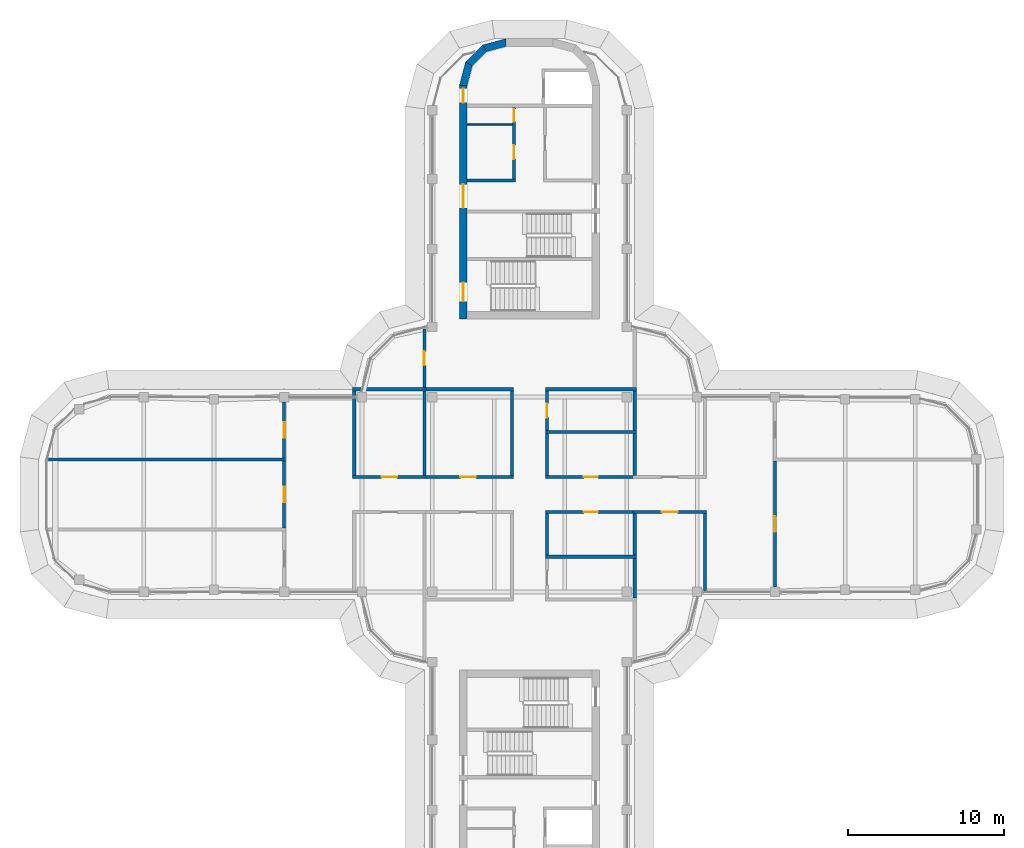
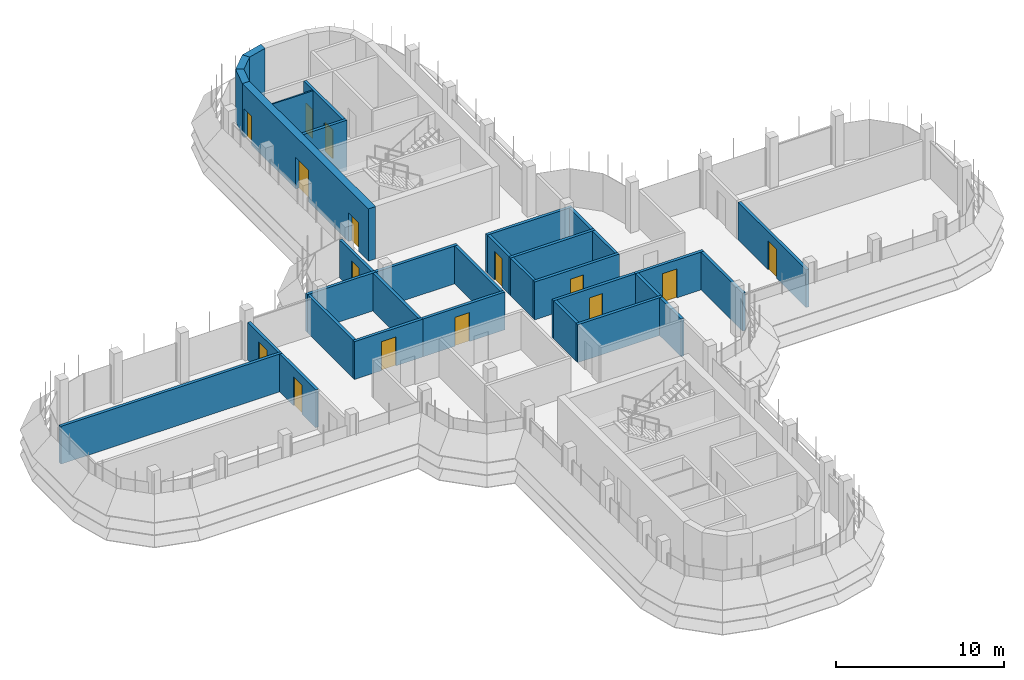
# One storey, part 14 of 19: 33 walls, 15 doors, 15 openings.
"""IFC4 building model written with IfcOpenShell, lengths in metres."""

import ifcopenshell
import ifcopenshell.guid

model = None  # the IFC model being written
_history = None  # IfcOwnerHistory: only IFC2X3 demands one
_inside = {}  # id of a spatial element -> (the spatial element, [elements in it])
_under = {}  # id of a project, library or spatial element -> (it, [spatial elements below it])
_declared = {}  # id of a project -> (the project, [libraries it declares])
_typed = {}  # id of a type object -> (the type object, [elements of that type])
_made_of = {}  # id of a material, layer set ... -> (it, [elements and type objects made of it])


def new_model(schema):
    """Start an empty IFC model of exactly this schema.

    Asked for "IFC4X3", IfcOpenShell would pick the latest addendum, in which some entities
    have other attributes; the version numbers below select the first issue.
    IFC2X3 requires an IfcOwnerHistory on every rooted entity: one is made here for all.
    """
    global model, _history
    if schema == "IFC4X3":
        model = ifcopenshell.file(schema_version=(4, 3, 0, 0))
    else:
        model = ifcopenshell.file(schema=schema)
    _inside.clear()
    _under.clear()
    _declared.clear()
    _typed.clear()
    _made_of.clear()
    _history = None
    if model.schema == "IFC2X3":
        org = make("IfcOrganization", Name="unknown")
        user = make(
            "IfcPersonAndOrganization",
            ThePerson=make("IfcPerson", FamilyName="unknown"),
            TheOrganization=org,
        )
        app = make(
            "IfcApplication",
            ApplicationDeveloper=org,
            Version="unknown",
            ApplicationFullName="unknown",
            ApplicationIdentifier="unknown",
        )
        _history = make(
            "IfcOwnerHistory",
            OwningUser=user,
            OwningApplication=app,
            ChangeAction="ADDED",
            CreationDate=0,
        )
    return model


def make(cls, **values):
    """One entity of the class cls with the attributes given. An attribute that is None is left unset."""
    return model.create_entity(
        cls, **{name: value for name, value in values.items() if value is not None}
    )


def rooted(cls, **values):
    """An entity with a GlobalId (a new one), such as an element, a storey or a relation."""
    return make(cls, GlobalId=ifcopenshell.guid.new(), OwnerHistory=_history, **values)


def si_unit(unit_type, name, prefix=None):
    """IfcSIUnit, for example si_unit("LENGTHUNIT", "METRE", prefix="MILLI")."""
    return make("IfcSIUnit", UnitType=unit_type, Prefix=prefix, Name=name)


def assignment(units):
    """IfcUnitAssignment: the units of a project."""
    return None if units is None else make("IfcUnitAssignment", Units=units)


def point(xyz):
    """IfcCartesianPoint."""
    return None if xyz is None else make("IfcCartesianPoint", Coordinates=xyz)


def direction(xyz):
    """IfcDirection."""
    return None if xyz is None else make("IfcDirection", DirectionRatios=xyz)


def frame(location, z_axis=None, x_axis=None):
    """IfcAxis2Placement3D, a coordinate frame: its origin and axes. An axis left out is left unset."""
    return make(
        "IfcAxis2Placement3D",
        Location=point(location),
        Axis=direction(z_axis),
        RefDirection=direction(x_axis),
    )


def frame_2d(location, x_axis=None):
    """IfcAxis2Placement2D, a coordinate frame in the plane: its origin and x axis."""
    return make(
        "IfcAxis2Placement2D", Location=point(location), RefDirection=direction(x_axis)
    )


def origin():
    """The frame at (0, 0, 0) with its axes left unset."""
    return frame((0.0, 0.0, 0.0))


def place(relative_to, where):
    """IfcLocalPlacement: puts the frame where relative to a parent placement (None: the world)."""
    return make(
        "IfcLocalPlacement", PlacementRelTo=relative_to, RelativePlacement=where
    )


def context(
    kind, dimensions, precision=None, world=None, true_north=None, identifier=None
):
    """IfcGeometricRepresentationContext, for example the 3D "Model" context."""
    return make(
        "IfcGeometricRepresentationContext",
        ContextIdentifier=identifier,
        ContextType=kind,
        CoordinateSpaceDimension=dimensions,
        Precision=precision,
        WorldCoordinateSystem=world,
        TrueNorth=true_north,
    )


def subcontext(parent, identifier, kind, view, scale=None):
    """IfcGeometricRepresentationSubContext, for example "Body" below "Model"."""
    return make(
        "IfcGeometricRepresentationSubContext",
        ContextIdentifier=identifier,
        ContextType=kind,
        ParentContext=parent,
        TargetScale=scale,
        TargetView=view,
    )


def project(units=None, contexts=None):
    """IfcProject with its units and contexts."""
    return rooted(
        "IfcProject",
        Name="project",
        RepresentationContexts=contexts,
        UnitsInContext=assignment(units),
    )


def spatial(cls, under=None, at=None, **own):
    """A site, building, storey or space (cls), placed at a placement, below another one or the project."""
    s = rooted(cls, ObjectPlacement=at, **own)
    if under is not None:
        _under.setdefault(under.id(), (under, []))[1].append(s)
    return s


def polyline(points):
    """IfcPolyline through the points."""
    return make("IfcPolyline", Points=[point(p) for p in points])


def profile(cls, at=None, kind="AREA", **sizes):
    """A parametric profile (cls). Its sizes go by their IFC names, for example OverallWidth=200.0."""
    return make(cls, ProfileType=kind, Position=at, **sizes)


def rectangle(**sizes):
    """IfcRectangleProfileDef."""
    return profile("IfcRectangleProfileDef", **sizes)


def outline(outer, holes=None, kind="AREA"):
    """IfcArbitraryClosedProfileDef: a profile drawn as a closed curve; with holes, ...WithVoids."""
    if holes is None:
        return make("IfcArbitraryClosedProfileDef", ProfileType=kind, OuterCurve=outer)
    return make(
        "IfcArbitraryProfileDefWithVoids",
        ProfileType=kind,
        OuterCurve=outer,
        InnerCurves=holes,
    )


def extrude(swept, where, along, depth):
    """IfcExtrudedAreaSolid: the profile swept, set in the frame where, extruded along a direction by depth."""
    return make(
        "IfcExtrudedAreaSolid",
        SweptArea=swept,
        Position=where,
        ExtrudedDirection=direction(along),
        Depth=depth,
    )


def shape(context_of_items, identifier, shape_type, items):
    """IfcShapeRepresentation: the items that make up one representation, for example the "Body"."""
    return make(
        "IfcShapeRepresentation",
        ContextOfItems=context_of_items,
        RepresentationIdentifier=identifier,
        RepresentationType=shape_type,
        Items=items,
    )


def material(Name=None, Category=None):
    """IfcMaterial."""
    return make("IfcMaterial", Name=Name, Category=Category)


def layer(
    of_material, thickness, ventilated=None, Name=None, Category=None, Priority=None
):
    """IfcMaterialLayer: one layer of a wall or slab, of a material (None: an air gap)."""
    return make(
        "IfcMaterialLayer",
        Material=of_material,
        LayerThickness=thickness,
        IsVentilated=ventilated,
        Name=Name,
        Category=Category,
        Priority=Priority,
    )


def layer_set(layers, Name=None):
    """IfcMaterialLayerSet."""
    return make("IfcMaterialLayerSet", MaterialLayers=layers, LayerSetName=Name)


def made_of(thing, what):
    """Note that an element or type object is made of a material, layer set ...; save() writes the relation."""
    if what is not None:
        _made_of.setdefault(what.id(), (what, []))[1].append(thing)
    return thing


def type_object(cls, material=None, **own):
    """A type object (cls), such as IfcWallType, which elements share."""
    return made_of(rooted(cls, **own), material)


def element(
    cls,
    number,
    at=None,
    inside=None,
    cuts=None,
    type_object=None,
    material=None,
    context=None,
    identifier="Body",
    shape_type=None,
    held_by="IfcProductDefinitionShape",
    body=None,
    shapes=None,
    **own,
):
    """One element of the class cls, such as IfcWall. Its Tag is "e" and its number.

    at: its placement. inside: the storey or other place that contains it. cuts: it is an
    opening in that element (IfcRelVoidsElement). A single representation is given by context,
    identifier, shape_type and body (its items); several are given by shapes. held_by: the class
    of the entity that holds the representations. save() writes the other relations.
    """
    e = rooted(cls, Tag="e%d" % number, ObjectPlacement=at, **own)
    if body is not None:
        shapes = [shape(context, identifier, shape_type, body)]
    if shapes is not None:
        e.Representation = make(held_by, Representations=shapes)
    if inside is not None:
        _inside.setdefault(inside.id(), (inside, []))[1].append(e)
    if cuts is not None:
        rooted(
            "IfcRelVoidsElement", RelatingBuildingElement=cuts, RelatedOpeningElement=e
        )
    if type_object is not None:
        _typed.setdefault(type_object.id(), (type_object, []))[1].append(e)
    return made_of(e, material)


def fill(opening, filler):
    """IfcRelFillsElement: the door or window that sits in an opening."""
    return rooted(
        "IfcRelFillsElement",
        RelatingOpeningElement=opening,
        RelatedBuildingElement=filler,
    )


def aggregate(whole, parts):
    """IfcRelAggregates: a whole, such as a stair, and the parts it consists of."""
    return rooted("IfcRelAggregates", RelatingObject=whole, RelatedObjects=parts)


def save(model, path):
    """Write the relations noted so far, then the file.

    IfcRelAggregates (storeys below a building ...), IfcRelContainedInSpatialStructure (elements
    in a storey), IfcRelDefinesByType, IfcRelAssociatesMaterial and IfcRelDeclares: one each for
    every whole, place, type object, material and project.
    """
    for whole, parts in _under.values():
        aggregate(whole, parts)
    for where, things in _inside.values():
        rooted(
            "IfcRelContainedInSpatialStructure",
            RelatedElements=things,
            RelatingStructure=where,
        )
    for kind, things in _typed.values():
        rooted("IfcRelDefinesByType", RelatedObjects=things, RelatingType=kind)
    for what, things in _made_of.values():
        rooted("IfcRelAssociatesMaterial", RelatedObjects=things, RelatingMaterial=what)
    for by, libraries in _declared.values():
        rooted("IfcRelDeclares", RelatingContext=by, RelatedDefinitions=libraries)
    model.write(path)


model = new_model("IFC4")

# Units and contexts
model_context = context("Model", 3, precision=1e-05, world=origin(), true_north=direction((0.0, 1.0)))
body_context = subcontext(model_context, "Body", "Model", "MODEL_VIEW")
ifc_project = project(units=[si_unit("LENGTHUNIT", "METRE"), si_unit("AREAUNIT", "SQUARE_METRE"), si_unit("VOLUMEUNIT", "CUBIC_METRE"), si_unit("PLANEANGLEUNIT", "RADIAN"), si_unit("MASSUNIT", "GRAM", prefix="KILO")], contexts=[model_context])

# Site, building, storey
site_placement = place(None, origin())
site = spatial("IfcSite", under=ifc_project, at=site_placement, CompositionType="ELEMENT")
building_placement = place(site_placement, origin())
building = spatial("IfcBuilding", under=site, at=building_placement, Name="Zarbagh Exchange Tower", CompositionType="ELEMENT")
storey_placement = place(building_placement, frame((0.0, 0.0, 268.800048828125)))
storey = spatial("IfcBuildingStorey", under=building, at=storey_placement, Name="L66", CompositionType="ELEMENT", Elevation=268.800048828125)

# Wall
ifc_material_1 = material(Name="Dense blockwork", Category="masonry")
ifc_layer_1 = layer(ifc_material_1, 0.10009765625)
ifc_layer_set_1 = layer_set([ifc_layer_1], Name="Core partition 100 mm blockwork")
wall_type_1 = type_object("IfcWallType", Name="Core partition 100 mm blockwork", PredefinedType="PARTITIONING", material=ifc_layer_set_1)
wall_1_placement = place(storey_placement, frame((-4.0, 23.75, 0.0), z_axis=(0.0, 0.0, 1.0), x_axis=(1.0, 0.0, 0.0)))
element("IfcWall", 1, at=wall_1_placement, inside=storey, type_object=wall_type_1, Name="North core partition wall CUT-W-460", PredefinedType="PARTITIONING", context=body_context, shape_type="SweptSolid", body=[
    extrude(rectangle(XDim=2.89990234375, YDim=0.10009765625, at=frame_2d((1.449951171875, 0.0))), origin(), (0.0, 0.0, 1.0), 3.64990234375),
])

# Wall, opening, door
ifc_material_2 = material(Name="Fire-rated plasterboard partition")
ifc_layer_2 = layer(ifc_material_2, 0.199951171875)
ifc_layer_set_2 = layer_set([ifc_layer_2], Name="RATED PARTITION 200")
wall_type_2 = type_object("IfcWallType", Name="RATED PARTITION 200", PredefinedType="PARTITIONING", material=ifc_layer_set_2)
wall_2_placement = place(storey_placement, frame((1.02490234375, 1.125, 0.0), z_axis=(0.0, 0.0, 1.0), x_axis=(1.0, 0.0, 0.0)))
wall_2 = element("IfcWall", 2, at=wall_2_placement, inside=storey, type_object=wall_type_2, Name="Partition W-2801", PredefinedType="PARTITIONING", context=body_context, shape_type="SweptSolid", body=[
    extrude(rectangle(XDim=5.8251953125, YDim=0.199951171875, at=frame_2d((2.91259765625, 0.0))), origin(), (0.0, 0.0, 1.0), 2.75),
])
opening_1_placement = place(wall_2_placement, frame((2.46240234375, 0.0, 0.0)))
opening_1 = element("IfcOpeningElement", 3, at=opening_1_placement, cuts=wall_2, Name="Opening D-2803", PredefinedType="OPENING", context=body_context, shape_type="SweptSolid", body=[
    extrude(rectangle(XDim=0.89990234375, YDim=2.10009765625, at=frame_2d((0.449951171875, 1.050048828125))), frame((0.0, 0.10986328125, 0.0), z_axis=(0.0, -1.0, 0.0), x_axis=(1.0, 0.0, 0.0)), (0.0, 0.0, 1.0), 0.219970703125),
])
ifc_material_3 = material(Name="Timber door leaf", Category="wood")
door_type_1 = type_object("IfcDoorType", Name="DOOR 900 X 2100", OperationType="NOTDEFINED", PredefinedType="DOOR", material=ifc_material_3)
door_1_placement = place(opening_1_placement, origin())
door_1 = element("IfcDoor", 4, at=door_1_placement, inside=storey, type_object=door_type_1, Name="Door D-2803", OperationType="SINGLE_SWING_RIGHT", OverallHeight=2.10009765625, OverallWidth=0.89990234375, PredefinedType="DOOR", context=body_context, shape_type="SweptSolid", body=[
    extrude(rectangle(XDim=0.89990234375, YDim=2.10009765625, at=frame_2d((0.449951171875, 1.050048828125))), frame((0.0, 0.02490234375, 0.0), z_axis=(0.0, -1.0, 0.0), x_axis=(1.0, 0.0, 0.0)), (0.0, 0.0, 1.0), 0.050048828125),
])
fill(opening_1, door_1)

wall_3_placement = place(storey_placement, frame((-6.85009765625, 1.125, 0.0), z_axis=(0.0, 0.0, 1.0), x_axis=(1.0, 0.0, 0.0)))
wall_3 = element("IfcWall", 5, at=wall_3_placement, inside=storey, type_object=wall_type_2, Name="Partition W-2803", PredefinedType="PARTITIONING", context=body_context, shape_type="SweptSolid", body=[
    extrude(rectangle(XDim=5.8251953125, YDim=0.199951171875, at=frame_2d((2.91259765625, 0.0))), origin(), (0.0, 0.0, 1.0), 2.75),
])
opening_2_placement = place(wall_3_placement, frame((2.41259765625, 0.0, 0.0)))
opening_2 = element("IfcOpeningElement", 6, at=opening_2_placement, cuts=wall_3, Name="Opening D-2806", PredefinedType="OPENING", context=body_context, shape_type="SweptSolid", body=[
    extrude(rectangle(XDim=1.0, YDim=2.10009765625, at=frame_2d((0.5, 1.050048828125))), frame((0.0, 0.10986328125, 0.0), z_axis=(0.0, -1.0, 0.0), x_axis=(1.0, 0.0, 0.0)), (0.0, 0.0, 1.0), 0.219970703125),
])
ifc_material_4 = material(Name="Steel door set", Category="steel")
door_type_2 = type_object("IfcDoorType", Name="FIRE DOOR 1000 X 2100 FD30S", OperationType="NOTDEFINED", PredefinedType="DOOR", material=ifc_material_4)
door_2_placement = place(opening_2_placement, origin())
door_2 = element("IfcDoor", 7, at=door_2_placement, inside=storey, type_object=door_type_2, Name="Door D-2806", OperationType="SINGLE_SWING_RIGHT", OverallHeight=2.10009765625, OverallWidth=1.0, PredefinedType="DOOR", context=body_context, shape_type="SweptSolid", body=[
    extrude(rectangle(XDim=1.0, YDim=2.10009765625, at=frame_2d((0.5, 1.050048828125))), frame((0.0, 0.02490234375, 0.0), z_axis=(0.0, -1.0, 0.0), x_axis=(1.0, 0.0, 0.0)), (0.0, 0.0, 1.0), 0.050048828125),
])
fill(opening_2, door_2)

wall_4_placement = place(storey_placement, frame((-11.35009765625, 1.125, 0.0), z_axis=(0.0, 0.0, 1.0), x_axis=(1.0, 0.0, 0.0)))
wall_4 = element("IfcWall", 8, at=wall_4_placement, inside=storey, type_object=wall_type_2, Name="Partition W-2804", PredefinedType="PARTITIONING", context=body_context, shape_type="SweptSolid", body=[
    extrude(rectangle(XDim=4.7001953125, YDim=0.199951171875, at=frame_2d((2.35009765625, 0.0))), origin(), (0.0, 0.0, 1.0), 2.75),
])
opening_3_placement = place(wall_4_placement, frame((1.85009765625, 0.0, 0.0)))
opening_3 = element("IfcOpeningElement", 9, at=opening_3_placement, cuts=wall_4, Name="Opening D-2807", PredefinedType="OPENING", context=body_context, shape_type="SweptSolid", body=[
    extrude(rectangle(XDim=1.0, YDim=2.10009765625, at=frame_2d((0.5, 1.050048828125))), frame((0.0, 0.10986328125, 0.0), z_axis=(0.0, -1.0, 0.0), x_axis=(1.0, 0.0, 0.0)), (0.0, 0.0, 1.0), 0.219970703125),
])
door_3_placement = place(opening_3_placement, origin())
door_3 = element("IfcDoor", 10, at=door_3_placement, inside=storey, type_object=door_type_2, Name="Door D-2807", OperationType="SINGLE_SWING_RIGHT", OverallHeight=2.10009765625, OverallWidth=1.0, PredefinedType="DOOR", context=body_context, shape_type="SweptSolid", body=[
    extrude(rectangle(XDim=1.0, YDim=2.10009765625, at=frame_2d((0.5, 1.050048828125))), frame((0.0, 0.02490234375, 0.0), z_axis=(0.0, -1.0, 0.0), x_axis=(1.0, 0.0, 0.0)), (0.0, 0.0, 1.0), 0.050048828125),
])
fill(opening_3, door_3)

wall_5_placement = place(storey_placement, frame((6.85009765625, -1.125, 0.0), z_axis=(0.0, 0.0, 1.0), x_axis=(-1.0, 0.0, 0.0)))
wall_5 = element("IfcWall", 11, at=wall_5_placement, inside=storey, type_object=wall_type_2, Name="Partition W-2805", PredefinedType="PARTITIONING", context=body_context, shape_type="SweptSolid", body=[
    extrude(rectangle(XDim=5.8251953125, YDim=0.199951171875, at=frame_2d((2.91259765625, 0.0))), origin(), (0.0, 0.0, 1.0), 2.75),
])
opening_4_placement = place(wall_5_placement, frame((2.46240234375, 0.0, 0.0)))
opening_4 = element("IfcOpeningElement", 12, at=opening_4_placement, cuts=wall_5, Name="Opening D-2809", PredefinedType="OPENING", context=body_context, shape_type="SweptSolid", body=[
    extrude(rectangle(XDim=0.89990234375, YDim=2.10009765625, at=frame_2d((0.449951171875, 1.050048828125))), frame((0.0, 0.10986328125, 0.0), z_axis=(0.0, -1.0, 0.0), x_axis=(1.0, 0.0, 0.0)), (0.0, 0.0, 1.0), 0.219970703125),
])
door_4_placement = place(opening_4_placement, origin())
door_4 = element("IfcDoor", 13, at=door_4_placement, inside=storey, type_object=door_type_1, Name="Door D-2809", OperationType="SINGLE_SWING_RIGHT", OverallHeight=2.10009765625, OverallWidth=0.89990234375, PredefinedType="DOOR", context=body_context, shape_type="SweptSolid", body=[
    extrude(rectangle(XDim=0.89990234375, YDim=2.10009765625, at=frame_2d((0.449951171875, 1.050048828125))), frame((0.0, 0.02490234375, 0.0), z_axis=(0.0, -1.0, 0.0), x_axis=(1.0, 0.0, 0.0)), (0.0, 0.0, 1.0), 0.050048828125),
])
fill(opening_4, door_4)

wall_6_placement = place(storey_placement, frame((11.35009765625, -1.125, 0.0), z_axis=(0.0, 0.0, 1.0), x_axis=(-1.0, 0.0, 0.0)))
wall_6 = element("IfcWall", 14, at=wall_6_placement, inside=storey, type_object=wall_type_2, Name="Partition W-2806", PredefinedType="PARTITIONING", context=body_context, shape_type="SweptSolid", body=[
    extrude(rectangle(XDim=4.7001953125, YDim=0.199951171875, at=frame_2d((2.35009765625, 0.0))), origin(), (0.0, 0.0, 1.0), 2.75),
])
opening_5_placement = place(wall_6_placement, frame((1.85009765625, 0.0, 0.0)))
opening_5 = element("IfcOpeningElement", 15, at=opening_5_placement, cuts=wall_6, Name="Opening D-2811", PredefinedType="OPENING", context=body_context, shape_type="SweptSolid", body=[
    extrude(rectangle(XDim=1.0, YDim=2.10009765625, at=frame_2d((0.5, 1.050048828125))), frame((0.0, 0.10986328125, 0.0), z_axis=(0.0, -1.0, 0.0), x_axis=(1.0, 0.0, 0.0)), (0.0, 0.0, 1.0), 0.219970703125),
])
door_5_placement = place(opening_5_placement, origin())
door_5 = element("IfcDoor", 16, at=door_5_placement, inside=storey, type_object=door_type_2, Name="Door D-2811", OperationType="SINGLE_SWING_RIGHT", OverallHeight=2.10009765625, OverallWidth=1.0, PredefinedType="DOOR", context=body_context, shape_type="SweptSolid", body=[
    extrude(rectangle(XDim=1.0, YDim=2.10009765625, at=frame_2d((0.5, 1.050048828125))), frame((0.0, 0.02490234375, 0.0), z_axis=(0.0, -1.0, 0.0), x_axis=(1.0, 0.0, 0.0)), (0.0, 0.0, 1.0), 0.050048828125),
])
fill(opening_5, door_5)

# Wall
wall_7_placement = place(storey_placement, frame((1.125, 1.22509765625, 0.0), z_axis=(0.0, 0.0, 1.0), x_axis=(0.0, 1.0, 0.0)))
element("IfcWall", 17, at=wall_7_placement, inside=storey, type_object=wall_type_2, Name="Partition W-2809", PredefinedType="PARTITIONING", context=body_context, shape_type="SweptSolid", body=[
    extrude(rectangle(XDim=2.6748046875, YDim=0.199951171875, at=frame_2d((1.33740234375, 0.0))), origin(), (0.0, 0.0, 1.0), 2.75),
])

# Wall, opening, door
wall_8_placement = place(storey_placement, frame((1.125, 6.64990234375, 0.0), z_axis=(0.0, 0.0, 1.0), x_axis=(0.0, -1.0, 0.0)))
wall_8 = element("IfcWall", 18, at=wall_8_placement, inside=storey, type_object=wall_type_2, Name="Partition W-2810", PredefinedType="PARTITIONING", context=body_context, shape_type="SweptSolid", body=[
    extrude(rectangle(XDim=2.5498046875, YDim=0.199951171875, at=frame_2d((1.27490234375, 0.0))), origin(), (0.0, 0.0, 1.0), 2.75),
])
opening_6_placement = place(wall_8_placement, frame((0.824951171875, 0.0, 0.0)))
opening_6 = element("IfcOpeningElement", 19, at=opening_6_placement, cuts=wall_8, Name="Opening D-2804", PredefinedType="OPENING", context=body_context, shape_type="SweptSolid", body=[
    extrude(rectangle(XDim=0.89990234375, YDim=2.10009765625, at=frame_2d((0.449951171875, 1.050048828125))), frame((0.0, 0.10986328125, 0.0), z_axis=(0.0, -1.0, 0.0), x_axis=(1.0, 0.0, 0.0)), (0.0, 0.0, 1.0), 0.219970703125),
])
door_6_placement = place(opening_6_placement, origin())
door_6 = element("IfcDoor", 20, at=door_6_placement, inside=storey, type_object=door_type_1, Name="Door D-2804", OperationType="SINGLE_SWING_RIGHT", OverallHeight=2.10009765625, OverallWidth=0.89990234375, PredefinedType="DOOR", context=body_context, shape_type="SweptSolid", body=[
    extrude(rectangle(XDim=0.89990234375, YDim=2.10009765625, at=frame_2d((0.449951171875, 1.050048828125))), frame((0.0, 0.02490234375, 0.0), z_axis=(0.0, -1.0, 0.0), x_axis=(1.0, 0.0, 0.0)), (0.0, 0.0, 1.0), 0.050048828125),
])
fill(opening_6, door_6)

# Walls
wall_9_placement = place(storey_placement, frame((-1.125, 1.22509765625, 0.0), z_axis=(0.0, 0.0, 1.0), x_axis=(0.0, 1.0, 0.0)))
element("IfcWall", 21, at=wall_9_placement, inside=storey, type_object=wall_type_2, Name="Partition W-2811", PredefinedType="PARTITIONING", context=body_context, shape_type="SweptSolid", body=[
    extrude(rectangle(XDim=5.4248046875, YDim=0.199951171875, at=frame_2d((2.71240234375, 0.0))), origin(), (0.0, 0.0, 1.0), 2.75),
])
wall_10_placement = place(storey_placement, frame((1.125, -3.89990234375, 0.0), z_axis=(0.0, 0.0, 1.0), x_axis=(0.0, 1.0, 0.0)))
element("IfcWall", 22, at=wall_10_placement, inside=storey, type_object=wall_type_2, Name="Partition W-2812", PredefinedType="PARTITIONING", context=body_context, shape_type="SweptSolid", body=[
    extrude(rectangle(XDim=2.6748046875, YDim=0.199951171875, at=frame_2d((1.33740234375, 0.0))), origin(), (0.0, 0.0, 1.0), 2.75),
])
for number, where, z_axis, x_axis, name in (
    (23, (1.02490234375, 6.75, 0.0), (0.0, 0.0, 1.0), (1.0, 0.0, 0.0), "Partition W-2815"),
    (24, (-6.85009765625, 6.75, 0.0), (0.0, 0.0, 1.0), (1.0, 0.0, 0.0), "Partition W-2817"),
):
    element("IfcWall", number, at=place(storey_placement, frame(where, z_axis=z_axis, x_axis=x_axis)), inside=storey, type_object=wall_type_2, Name=name, PredefinedType="PARTITIONING", context=body_context, shape_type="SweptSolid", body=[
        extrude(rectangle(XDim=5.8251953125, YDim=0.199951171875, at=frame_2d((2.91259765625, 0.0))), origin(), (0.0, 0.0, 1.0), 2.75),
    ])

# Wall, opening, door
wall_11_placement = place(storey_placement, frame((-6.75, 6.85009765625, 0.0), z_axis=(0.0, 0.0, 1.0), x_axis=(0.0, 1.0, 0.0)))
wall_11 = element("IfcWall", 25, at=wall_11_placement, inside=storey, type_object=wall_type_2, Name="Partition W-2818", PredefinedType="PARTITIONING", context=body_context, shape_type="SweptSolid", body=[
    extrude(rectangle(XDim=3.77978515625, YDim=0.199951171875, at=frame_2d((1.889892578125, 0.0))), origin(), (0.0, 0.0, 1.0), 2.75),
])
opening_7_placement = place(wall_11_placement, frame((1.43994140625, 0.0, 0.0)))
opening_7 = element("IfcOpeningElement", 26, at=opening_7_placement, cuts=wall_11, Name="Opening D-2808", PredefinedType="OPENING", context=body_context, shape_type="SweptSolid", body=[
    extrude(rectangle(XDim=0.89990234375, YDim=2.10009765625, at=frame_2d((0.449951171875, 1.050048828125))), frame((0.0, 0.10986328125, 0.0), z_axis=(0.0, -1.0, 0.0), x_axis=(1.0, 0.0, 0.0)), (0.0, 0.0, 1.0), 0.219970703125),
])
door_7_placement = place(opening_7_placement, origin())
door_7 = element("IfcDoor", 27, at=door_7_placement, inside=storey, type_object=door_type_1, Name="Door D-2808", OperationType="SINGLE_SWING_LEFT", OverallHeight=2.10009765625, OverallWidth=0.89990234375, PredefinedType="DOOR", context=body_context, shape_type="SweptSolid", body=[
    extrude(rectangle(XDim=0.89990234375, YDim=2.10009765625, at=frame_2d((0.449951171875, 1.050048828125))), frame((0.0, 0.02490234375, 0.0), z_axis=(0.0, -1.0, 0.0), x_axis=(1.0, 0.0, 0.0)), (0.0, 0.0, 1.0), 0.050048828125),
])
fill(opening_7, door_7)

# Walls
wall_12_placement = place(storey_placement, frame((1.02490234375, 4.0, 0.0), z_axis=(0.0, 0.0, 1.0), x_axis=(1.0, 0.0, 0.0)))
element("IfcWall", 28, at=wall_12_placement, inside=storey, type_object=wall_type_2, Name="Partition W-2823", PredefinedType="PARTITIONING", context=body_context, shape_type="SweptSolid", body=[
    extrude(rectangle(XDim=5.8251953125, YDim=0.199951171875, at=frame_2d((2.91259765625, 0.0))), origin(), (0.0, 0.0, 1.0), 2.75),
])
wall_13_placement = place(storey_placement, frame((6.75, 1.22509765625, 0.0), z_axis=(0.0, 0.0, 1.0), x_axis=(0.0, 1.0, 0.0)))
element("IfcWall", 29, at=wall_13_placement, inside=storey, type_object=wall_type_2, Name="Partition W-2824", PredefinedType="PARTITIONING", context=body_context, shape_type="SweptSolid", body=[
    extrude(rectangle(XDim=2.6748046875, YDim=0.199951171875, at=frame_2d((1.33740234375, 0.0))), origin(), (0.0, 0.0, 1.0), 2.75),
])
wall_14_placement = place(storey_placement, frame((6.75, 4.10009765625, 0.0), z_axis=(0.0, 0.0, 1.0), x_axis=(0.0, 1.0, 0.0)))
element("IfcWall", 30, at=wall_14_placement, inside=storey, type_object=wall_type_2, Name="Partition W-2825", PredefinedType="PARTITIONING", context=body_context, shape_type="SweptSolid", body=[
    extrude(rectangle(XDim=2.5498046875, YDim=0.199951171875, at=frame_2d((1.27490234375, 0.0))), origin(), (0.0, 0.0, 1.0), 2.75),
])
wall_15_placement = place(storey_placement, frame((-6.75, 1.22509765625, 0.0), z_axis=(0.0, 0.0, 1.0), x_axis=(0.0, 1.0, 0.0)))
element("IfcWall", 31, at=wall_15_placement, inside=storey, type_object=wall_type_2, Name="Partition W-2827", PredefinedType="PARTITIONING", context=body_context, shape_type="SweptSolid", body=[
    extrude(rectangle(XDim=5.4248046875, YDim=0.199951171875, at=frame_2d((2.71240234375, 0.0))), origin(), (0.0, 0.0, 1.0), 2.75),
])
wall_16_placement = place(storey_placement, frame((-11.35009765625, 6.75, 0.0), z_axis=(0.0, 0.0, 1.0), x_axis=(1.0, 0.0, 0.0)))
element("IfcWall", 32, at=wall_16_placement, inside=storey, type_object=wall_type_2, Name="Partition W-2828", PredefinedType="PARTITIONING", context=body_context, shape_type="SweptSolid", body=[
    extrude(rectangle(XDim=4.7001953125, YDim=0.199951171875, at=frame_2d((2.35009765625, 0.0))), origin(), (0.0, 0.0, 1.0), 2.75),
])
wall_17_placement = place(storey_placement, frame((-11.25, 1.22509765625, 0.0), z_axis=(0.0, 0.0, 1.0), x_axis=(0.0, 1.0, 0.0)))
element("IfcWall", 33, at=wall_17_placement, inside=storey, type_object=wall_type_2, Name="Partition W-2829", PredefinedType="PARTITIONING", context=body_context, shape_type="SweptSolid", body=[
    extrude(rectangle(XDim=5.4248046875, YDim=0.199951171875, at=frame_2d((2.71240234375, 0.0))), origin(), (0.0, 0.0, 1.0), 2.75),
])
wall_18_placement = place(storey_placement, frame((1.02490234375, -4.0, 0.0), z_axis=(0.0, 0.0, 1.0), x_axis=(1.0, 0.0, 0.0)))
element("IfcWall", 34, at=wall_18_placement, inside=storey, type_object=wall_type_2, Name="Partition W-2830", PredefinedType="PARTITIONING", context=body_context, shape_type="SweptSolid", body=[
    extrude(rectangle(XDim=5.8251953125, YDim=0.199951171875, at=frame_2d((2.91259765625, 0.0))), origin(), (0.0, 0.0, 1.0), 2.75),
])
wall_19_placement = place(storey_placement, frame((6.75, -3.89990234375, 0.0), z_axis=(0.0, 0.0, 1.0), x_axis=(0.0, 1.0, 0.0)))
element("IfcWall", 35, at=wall_19_placement, inside=storey, type_object=wall_type_2, Name="Partition W-2831", PredefinedType="PARTITIONING", context=body_context, shape_type="SweptSolid", body=[
    extrude(rectangle(XDim=2.6748046875, YDim=0.199951171875, at=frame_2d((1.33740234375, 0.0))), origin(), (0.0, 0.0, 1.0), 2.75),
])
wall_20_placement = place(storey_placement, frame((6.75, -6.64990234375, 0.0), z_axis=(0.0, 0.0, 1.0), x_axis=(0.0, 1.0, 0.0)))
element("IfcWall", 36, at=wall_20_placement, inside=storey, type_object=wall_type_2, Name="Partition W-2832", PredefinedType="PARTITIONING", context=body_context, shape_type="SweptSolid", body=[
    extrude(rectangle(XDim=2.5498046875, YDim=0.199951171875, at=frame_2d((1.27490234375, 0.0))), origin(), (0.0, 0.0, 1.0), 2.75),
])
wall_21_placement = place(storey_placement, frame((11.25, -6.169921875, 0.0), z_axis=(0.0, 0.0, 1.0), x_axis=(0.0, 1.0, 0.0)))
element("IfcWall", 37, at=wall_21_placement, inside=storey, type_object=wall_type_2, Name="Partition W-2833", PredefinedType="PARTITIONING", context=body_context, shape_type="SweptSolid", body=[
    extrude(rectangle(XDim=4.94482421875, YDim=0.199951171875, at=frame_2d((2.472412109375, 0.0))), origin(), (0.0, 0.0, 1.0), 2.75),
])

# Wall, opening, door
wall_22_placement = place(storey_placement, frame((15.75, 2.14990234375, 0.0), z_axis=(0.0, 0.0, 1.0), x_axis=(0.0, -1.0, 0.0)))
wall_22 = element("IfcWall", 38, at=wall_22_placement, inside=storey, type_object=wall_type_2, Name="Partition W-2836", PredefinedType="PARTITIONING", context=body_context, shape_type="SweptSolid", body=[
    extrude(rectangle(XDim=8.099853515625, YDim=0.199951171875, at=frame_2d((4.0498046875, 0.0))), origin(), (0.0, 0.0, 1.0), 2.75),
])
opening_8_placement = place(wall_22_placement, frame((3.550048828125, 0.0, 0.0)))
opening_8 = element("IfcOpeningElement", 39, at=opening_8_placement, cuts=wall_22, Name="Opening D-2801", PredefinedType="OPENING", context=body_context, shape_type="SweptSolid", body=[
    extrude(rectangle(XDim=1.0, YDim=2.10009765625, at=frame_2d((0.5, 1.050048828125))), frame((0.0, 0.10986328125, 0.0), z_axis=(0.0, -1.0, 0.0), x_axis=(1.0, 0.0, 0.0)), (0.0, 0.0, 1.0), 0.219970703125),
])
door_8_placement = place(opening_8_placement, origin())
door_8 = element("IfcDoor", 40, at=door_8_placement, inside=storey, type_object=door_type_2, Name="Door D-2801", OperationType="SINGLE_SWING_RIGHT", OverallHeight=2.10009765625, OverallWidth=1.0, PredefinedType="DOOR", context=body_context, shape_type="SweptSolid", body=[
    extrude(rectangle(XDim=1.0, YDim=2.10009765625, at=frame_2d((0.5, 1.050048828125))), frame((0.0, 0.02490234375, 0.0), z_axis=(0.0, -1.0, 0.0), x_axis=(1.0, 0.0, 0.0)), (0.0, 0.0, 1.0), 0.050048828125),
])
fill(opening_8, door_8)

wall_23_placement = place(storey_placement, frame((-15.75, -2.14990234375, 0.0), z_axis=(0.0, 0.0, 1.0), x_axis=(0.0, 1.0, 0.0)))
wall_23 = element("IfcWall", 41, at=wall_23_placement, inside=storey, type_object=wall_type_2, Name="Partition W-2840", PredefinedType="PARTITIONING", context=body_context, shape_type="SweptSolid", body=[
    extrude(rectangle(XDim=4.2998046875, YDim=0.199951171875, at=frame_2d((2.14990234375, 0.0))), origin(), (0.0, 0.0, 1.0), 2.75),
])
opening_9_placement = place(wall_23_placement, frame((1.64990234375, 0.0, 0.0)))
opening_9 = element("IfcOpeningElement", 42, at=opening_9_placement, cuts=wall_23, Name="Opening D-2815", PredefinedType="OPENING", context=body_context, shape_type="SweptSolid", body=[
    extrude(rectangle(XDim=1.0, YDim=2.10009765625, at=frame_2d((0.5, 1.050048828125))), frame((0.0, 0.10986328125, 0.0), z_axis=(0.0, -1.0, 0.0), x_axis=(1.0, 0.0, 0.0)), (0.0, 0.0, 1.0), 0.219970703125),
])
door_9_placement = place(opening_9_placement, origin())
door_9 = element("IfcDoor", 43, at=door_9_placement, inside=storey, type_object=door_type_2, Name="Door D-2815", OperationType="SINGLE_SWING_RIGHT", OverallHeight=2.10009765625, OverallWidth=1.0, PredefinedType="DOOR", context=body_context, shape_type="SweptSolid", body=[
    extrude(rectangle(XDim=1.0, YDim=2.10009765625, at=frame_2d((0.5, 1.050048828125))), frame((0.0, 0.02490234375, 0.0), z_axis=(0.0, -1.0, 0.0), x_axis=(1.0, 0.0, 0.0)), (0.0, 0.0, 1.0), 0.050048828125),
])
fill(opening_9, door_9)

wall_24_placement = place(storey_placement, frame((-15.75, 2.35009765625, 0.0), z_axis=(0.0, 0.0, 1.0), x_axis=(0.0, 1.0, 0.0)))
wall_24 = element("IfcWall", 44, at=wall_24_placement, inside=storey, type_object=wall_type_2, Name="Partition W-2841", PredefinedType="PARTITIONING", context=body_context, shape_type="SweptSolid", body=[
    extrude(rectangle(XDim=3.599853515625, YDim=0.199951171875, at=frame_2d((1.7998046875, 0.0))), origin(), (0.0, 0.0, 1.0), 2.75),
])
opening_10_placement = place(wall_24_placement, frame((1.300048828125, 0.0, 0.0)))
opening_10 = element("IfcOpeningElement", 45, at=opening_10_placement, cuts=wall_24, Name="Opening D-2816", PredefinedType="OPENING", context=body_context, shape_type="SweptSolid", body=[
    extrude(rectangle(XDim=1.0, YDim=2.10009765625, at=frame_2d((0.5, 1.050048828125))), frame((0.0, 0.10986328125, 0.0), z_axis=(0.0, -1.0, 0.0), x_axis=(1.0, 0.0, 0.0)), (0.0, 0.0, 1.0), 0.219970703125),
])
door_10_placement = place(opening_10_placement, origin())
door_10 = element("IfcDoor", 46, at=door_10_placement, inside=storey, type_object=door_type_2, Name="Door D-2816", OperationType="SINGLE_SWING_RIGHT", OverallHeight=2.10009765625, OverallWidth=1.0, PredefinedType="DOOR", context=body_context, shape_type="SweptSolid", body=[
    extrude(rectangle(XDim=1.0, YDim=2.10009765625, at=frame_2d((0.5, 1.050048828125))), frame((0.0, 0.02490234375, 0.0), z_axis=(0.0, -1.0, 0.0), x_axis=(1.0, 0.0, 0.0)), (0.0, 0.0, 1.0), 0.050048828125),
])
fill(opening_10, door_10)

# Walls
wall_25_placement = place(storey_placement, frame((-30.8798828125, 2.25, 0.0), z_axis=(0.0, 0.0, 1.0), x_axis=(1.0, 0.0, 0.0)))
element("IfcWall", 47, at=wall_25_placement, inside=storey, type_object=wall_type_2, Name="Partition W-2843", PredefinedType="PARTITIONING", context=body_context, shape_type="SweptSolid", body=[
    extrude(rectangle(XDim=15.22998046875, YDim=0.199951171875, at=frame_2d((7.614990234375, 0.0))), origin(), (0.0, 0.0, 1.0), 2.75),
])
ifc_material_5 = material(Name="Concrete C40/50", Category="concrete")
ifc_layer_3 = layer(ifc_material_5, 0.5)
ifc_layer_set_3 = layer_set([ifc_layer_3], Name="RC core corner wall 500 C40/50")
wall_type_3 = type_object("IfcWallType", Name="RC core corner wall 500 C40/50", PredefinedType="SHEAR", material=ifc_layer_set_3)
wall_26_placement = place(storey_placement, origin())
element("IfcWall", 48, at=wall_26_placement, inside=storey, type_object=wall_type_3, Name="CW10 core N corner W", PredefinedType="SHEAR", context=body_context, shape_type="SweptSolid", body=[
    extrude(outline(polyline([(-4.5, 26.25), (-4.09814453125, 27.75), (-3.6650390625, 27.5), (-4.0, 26.25), (-4.5, 26.25)])), origin(), (0.0, 0.0, 1.0), 3.800048828125),
])
wall_27_placement = place(storey_placement, origin())
element("IfcWall", 49, at=wall_27_placement, inside=storey, type_object=wall_type_3, Name="CW10 core N corner W", PredefinedType="SHEAR", context=body_context, shape_type="SweptSolid", body=[
    extrude(outline(polyline([(-4.09814453125, 27.75), (-3.0, 28.84814453125), (-2.75, 28.4150390625), (-3.6650390625, 27.5), (-4.09814453125, 27.75)])), origin(), (0.0, 0.0, 1.0), 3.800048828125),
])
wall_28_placement = place(storey_placement, origin())
element("IfcWall", 50, at=wall_28_placement, inside=storey, type_object=wall_type_3, Name="CW10 core N corner W", PredefinedType="SHEAR", context=body_context, shape_type="SweptSolid", body=[
    extrude(outline(polyline([(-3.0, 28.84814453125), (-1.5, 29.25), (-1.5, 28.75), (-2.75, 28.4150390625), (-3.0, 28.84814453125)])), origin(), (0.0, 0.0, 1.0), 3.800048828125),
])

# Wall, openings, doors
ifc_layer_4 = layer(ifc_material_5, 0.5)
ifc_layer_set_4 = layer_set([ifc_layer_4], Name="RC core wall 500 C40/50")
wall_type_4 = type_object("IfcWallType", Name="RC core wall 500 C40/50", PredefinedType="SHEAR", material=ifc_layer_set_4)
wall_29_placement = place(storey_placement, frame((-4.25, 11.25, 0.0), z_axis=(0.0, 0.0, 1.0), x_axis=(0.0, 1.0, 0.0)))
wall_29 = element("IfcWall", 51, at=wall_29_placement, inside=storey, type_object=wall_type_4, Name="CW9 core N W", PredefinedType="SHEAR", context=body_context, shape_type="SweptSolid", body=[
    extrude(rectangle(XDim=15.0, YDim=0.5, at=frame_2d((7.5, 0.0))), origin(), (0.0, 0.0, 1.0), 3.800048828125),
])
opening_11_placement = place(wall_29_placement, frame((7.14990234375, 0.0, 0.0)))
opening_11 = element("IfcOpeningElement", 52, at=opening_11_placement, cuts=wall_29, Name="Opening CD1-1500", PredefinedType="OPENING", context=body_context, shape_type="SweptSolid", body=[
    extrude(rectangle(XDim=1.5, YDim=2.300048828125, at=frame_2d((0.75, 1.14990234375))), frame((0.0, 0.260009765625, 0.0), z_axis=(0.0, -1.0, 0.0), x_axis=(1.0, 0.0, 0.0)), (0.0, 0.0, 1.0), 0.52001953125),
])
opening_12_placement = place(wall_29_placement, frame((13.89990234375, 0.0, 0.0)))
opening_12 = element("IfcOpeningElement", 53, at=opening_12_placement, cuts=wall_29, Name="Opening CD2-900", PredefinedType="OPENING", context=body_context, shape_type="SweptSolid", body=[
    extrude(rectangle(XDim=0.89990234375, YDim=2.10009765625, at=frame_2d((0.449951171875, 1.050048828125))), frame((0.0, 0.260009765625, 0.0), z_axis=(0.0, -1.0, 0.0), x_axis=(1.0, 0.0, 0.0)), (0.0, 0.0, 1.0), 0.52001953125),
])
opening_13_placement = place(wall_29_placement, frame((1.14990234375, 0.0, 0.0)))
opening_13 = element("IfcOpeningElement", 54, at=opening_13_placement, cuts=wall_29, Name="Opening SD1-1200", PredefinedType="OPENING", context=body_context, shape_type="SweptSolid", body=[
    extrude(rectangle(XDim=1.199951171875, YDim=2.10009765625, at=frame_2d((0.60009765625, 1.050048828125))), frame((0.0, 0.260009765625, 0.0), z_axis=(0.0, -1.0, 0.0), x_axis=(1.0, 0.0, 0.0)), (0.0, 0.0, 1.0), 0.52001953125),
])
ifc_material_6 = material(Name="Steel", Category="steel")
door_type_3 = type_object("IfcDoorType", Name="Exit stair door 1200 x 2100", OperationType="NOTDEFINED", PredefinedType="DOOR", material=ifc_material_6)
door_11_placement = place(opening_13_placement, origin())
door_11 = element("IfcDoor", 55, at=door_11_placement, inside=storey, type_object=door_type_3, Name="North core stair door ST2", OperationType="SINGLE_SWING_RIGHT", OverallHeight=2.10009765625, OverallWidth=1.199951171875, PredefinedType="DOOR", context=body_context, shape_type="SweptSolid", body=[
    extrude(rectangle(XDim=1.199951171875, YDim=2.10009765625, at=frame_2d((0.60009765625, 1.050048828125))), frame((0.0, 0.02490234375, 0.0), z_axis=(0.0, -1.0, 0.0), x_axis=(1.0, 0.0, 0.0)), (0.0, 0.0, 1.0), 0.050048828125),
])
fill(opening_13, door_11)
door_type_4 = type_object("IfcDoorType", Name="Firefighting lobby door 900 x 2100", OperationType="NOTDEFINED", PredefinedType="DOOR", material=ifc_material_6)
door_12_placement = place(opening_12_placement, origin())
door_12 = element("IfcDoor", 56, at=door_12_placement, inside=storey, type_object=door_type_4, Name="North core firefighting lobby door FF-W", OperationType="SINGLE_SWING_LEFT", OverallHeight=2.10009765625, OverallWidth=0.89990234375, PredefinedType="DOOR", context=body_context, shape_type="SweptSolid", body=[
    extrude(rectangle(XDim=0.89990234375, YDim=2.10009765625, at=frame_2d((0.449951171875, 1.050048828125))), frame((0.0, 0.02490234375, 0.0), z_axis=(0.0, -1.0, 0.0), x_axis=(1.0, 0.0, 0.0)), (0.0, 0.0, 1.0), 0.050048828125),
])
fill(opening_12, door_12)
door_type_5 = type_object("IfcDoorType", Name="Lift lobby double door 1500 x 2300", OperationType="NOTDEFINED", PredefinedType="DOOR", material=ifc_material_6)
door_13_placement = place(opening_11_placement, origin())
door_13 = element("IfcDoor", 57, at=door_13_placement, inside=storey, type_object=door_type_5, Name="North core lift lobby door LOBBY-W", OperationType="DOUBLE_DOOR_SINGLE_SWING", OverallHeight=2.300048828125, OverallWidth=1.5, PredefinedType="DOOR", context=body_context, shape_type="SweptSolid", body=[
    extrude(rectangle(XDim=1.5, YDim=2.300048828125, at=frame_2d((0.75, 1.14990234375))), frame((0.0, 0.02490234375, 0.0), z_axis=(0.0, -1.0, 0.0), x_axis=(1.0, 0.0, 0.0)), (0.0, 0.0, 1.0), 0.050048828125),
])
fill(opening_11, door_13)

# Wall
ifc_layer_5 = layer(ifc_material_1, 0.199951171875)
ifc_layer_set_5 = layer_set([ifc_layer_5], Name="Shaft wall 200 mm blockwork")
wall_type_5 = type_object("IfcWallType", Name="Shaft wall 200 mm blockwork", PredefinedType="PARTITIONING", material=ifc_layer_set_5)
wall_30_placement = place(storey_placement, frame((-4.0, 20.14990234375, 0.0), z_axis=(0.0, 0.0, 1.0), x_axis=(1.0, 0.0, 0.0)))
element("IfcWall", 58, at=wall_30_placement, inside=storey, type_object=wall_type_5, Name="North core shaft wall AB-W", PredefinedType="PARTITIONING", context=body_context, shape_type="SweptSolid", body=[
    extrude(rectangle(XDim=3.10009765625, YDim=0.199951171875, at=frame_2d((1.550048828125, 0.0))), origin(), (0.0, 0.0, 1.0), 3.64990234375),
])

# Wall, openings, doors
wall_31_placement = place(storey_placement, frame((-1.0, 24.85009765625, 0.0), z_axis=(0.0, 0.0, 1.0), x_axis=(0.0, -1.0, 0.0)))
wall_31 = element("IfcWall", 59, at=wall_31_placement, inside=storey, type_object=wall_type_5, Name="North core shaft wall LW-W", PredefinedType="PARTITIONING", context=body_context, shape_type="SweptSolid", body=[
    extrude(rectangle(XDim=4.60009765625, YDim=0.199951171875, at=frame_2d((2.300048828125, 0.0))), origin(), (0.0, 0.0, 1.0), 3.64990234375),
])
opening_14_placement = place(wall_31_placement, frame((0.125, 0.0, 0.0)))
opening_14 = element("IfcOpeningElement", 60, at=opening_14_placement, cuts=wall_31, Name="Opening CD3-800", PredefinedType="OPENING", context=body_context, shape_type="SweptSolid", body=[
    extrude(rectangle(XDim=0.800048828125, YDim=2.10009765625, at=frame_2d((0.39990234375, 1.050048828125))), frame((0.0, 0.10986328125, 0.0), z_axis=(0.0, -1.0, 0.0), x_axis=(1.0, 0.0, 0.0)), (0.0, 0.0, 1.0), 0.219970703125),
])
opening_15_placement = place(wall_31_placement, frame((2.425048828125, 0.0, 0.0)))
opening_15 = element("IfcOpeningElement", 61, at=opening_15_placement, cuts=wall_31, Name="Opening CD3-900", PredefinedType="OPENING", context=body_context, shape_type="SweptSolid", body=[
    extrude(rectangle(XDim=0.89990234375, YDim=2.10009765625, at=frame_2d((0.449951171875, 1.050048828125))), frame((0.0, 0.10986328125, 0.0), z_axis=(0.0, -1.0, 0.0), x_axis=(1.0, 0.0, 0.0)), (0.0, 0.0, 1.0), 0.219970703125),
])
door_type_6 = type_object("IfcDoorType", Name="Core room door 800 x 2100", OperationType="NOTDEFINED", PredefinedType="DOOR", material=ifc_material_6)
door_14_placement = place(opening_14_placement, origin())
door_14 = element("IfcDoor", 62, at=door_14_placement, inside=storey, type_object=door_type_6, Name="North core Store door RD-W-0", OperationType="SINGLE_SWING_RIGHT", OverallHeight=2.10009765625, OverallWidth=0.800048828125, PredefinedType="DOOR", context=body_context, shape_type="SweptSolid", body=[
    extrude(rectangle(XDim=0.800048828125, YDim=2.10009765625, at=frame_2d((0.39990234375, 1.050048828125))), frame((0.0, 0.02490234375, 0.0), z_axis=(0.0, -1.0, 0.0), x_axis=(1.0, 0.0, 0.0)), (0.0, 0.0, 1.0), 0.050048828125),
])
fill(opening_14, door_14)
door_type_7 = type_object("IfcDoorType", Name="Core room door 900 x 2100", OperationType="NOTDEFINED", PredefinedType="DOOR", material=ifc_material_6)
door_15_placement = place(opening_15_placement, origin())
door_15 = element("IfcDoor", 63, at=door_15_placement, inside=storey, type_object=door_type_7, Name="North core Accessible WC door RD-W-1", OperationType="SINGLE_SWING_LEFT", OverallHeight=2.10009765625, OverallWidth=0.89990234375, PredefinedType="DOOR", context=body_context, shape_type="SweptSolid", body=[
    extrude(rectangle(XDim=0.89990234375, YDim=2.10009765625, at=frame_2d((0.449951171875, 1.050048828125))), frame((0.0, 0.02490234375, 0.0), z_axis=(0.0, -1.0, 0.0), x_axis=(1.0, 0.0, 0.0)), (0.0, 0.0, 1.0), 0.050048828125),
])
fill(opening_15, door_15)

save(model, "model.ifc")
